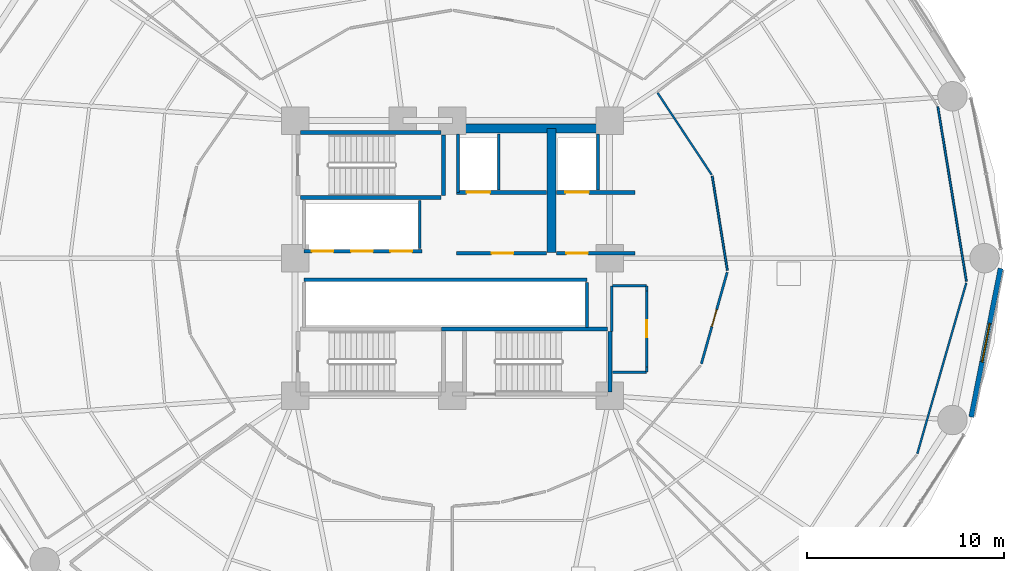
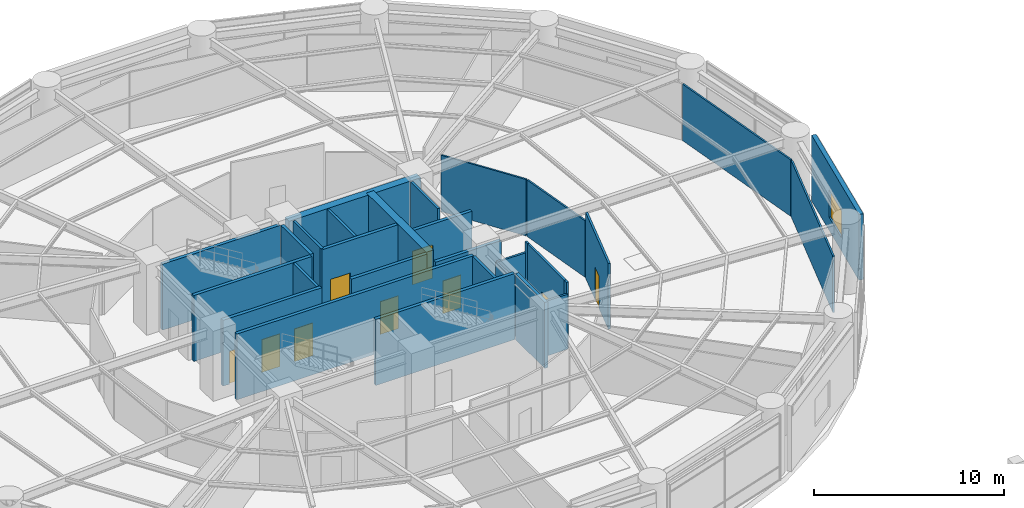
# One storey, part 39 of 46: 30 walls, 9 doors, 1 window, 10 openings.
"""IFC4 building model written with IfcOpenShell, lengths in metres."""

from ifc_helpers import new_model, si_unit, direction, frame, frame_2d, origin, place, context, subcontext, project, spatial, rectangle, extrude, material, layer, layer_set, type_object, element, fill, save


model = new_model("IFC4")

# Units and contexts
model_context = context("Model", 3, precision=1e-05, world=origin(), true_north=direction((0.0, 1.0)))
body_context = subcontext(model_context, "Body", "Model", "MODEL_VIEW")
ifc_project = project(units=[si_unit("LENGTHUNIT", "METRE"), si_unit("AREAUNIT", "SQUARE_METRE"), si_unit("VOLUMEUNIT", "CUBIC_METRE"), si_unit("PLANEANGLEUNIT", "RADIAN"), si_unit("MASSUNIT", "GRAM", prefix="KILO")], contexts=[model_context])

# Site, building, storey
site_placement = place(None, origin())
site = spatial("IfcSite", under=ifc_project, at=site_placement, CompositionType="ELEMENT")
building_placement = place(site_placement, origin())
building = spatial("IfcBuilding", under=site, at=building_placement, Name="Kelanora Arch Commons", CompositionType="ELEMENT")
storey_placement = place(building_placement, frame((0.0, 0.0, 18.0)))
storey = spatial("IfcBuildingStorey", under=building, at=storey_placement, Name="L04", CompositionType="ELEMENT", Elevation=18.0)

# Walls
ifc_material_1 = material(Name="Autoclaved aerated concrete blockwork with fire plaster", Category="masonry")
ifc_layer_1 = layer(ifc_material_1, 0.14990234375)
ifc_layer_set_1 = layer_set([ifc_layer_1], Name="Autoclaved aerated concrete blockwork with fire plaster")
wall_type_1 = type_object("IfcWallType", Name="W-COMP-150", PredefinedType="PARTITIONING", material=ifc_layer_set_1)
wall_1_placement = place(storey_placement, frame((74.280029296875, 61.35009765625, 0.0), z_axis=(0.0, 0.0, 1.0), x_axis=(0.0, 1.0, 0.0)))
element("IfcWall", 1, at=wall_1_placement, inside=storey, type_object=wall_type_1, Name="Firefighting Lift 1 West Shaft Wall L04", PredefinedType="PARTITIONING", context=body_context, shape_type="SweptSolid", body=[
    extrude(rectangle(XDim=2.969970703125, YDim=0.14990234375, at=frame_2d((1.48486328125, 0.0))), origin(), (0.0, 0.0, 1.0), 4.22998046875),
])
for number, where, z_axis, x_axis, name in (
    (2, (76.360107421875, 61.47998046875, 0.0), (0.0, 0.0, 1.0), (0.0, 1.0, 0.0), "Firefighting Lift 1 East Shaft Wall L04"),
    (3, (81.419921875, 61.47998046875, 0.0), (0.0, 0.0, 1.0), (0.0, 1.0, 0.0), "Firefighting Lift 2 East Shaft Wall L04"),
):
    element("IfcWall", number, at=place(storey_placement, frame(where, z_axis=z_axis, x_axis=x_axis)), inside=storey, type_object=wall_type_1, Name=name, PredefinedType="PARTITIONING", context=body_context, shape_type="SweptSolid", body=[
        extrude(rectangle(XDim=2.840087890625, YDim=0.14990234375, at=frame_2d((1.419921875, 0.0))), origin(), (0.0, 0.0, 1.0), 4.22998046875),
    ])
wall_2_placement = place(storey_placement, frame((72.340087890625, 58.47998046875, 0.0), z_axis=(0.0, 0.0, 1.0), x_axis=(0.0, 1.0, 0.0)))
element("IfcWall", 4, at=wall_2_placement, inside=storey, type_object=wall_type_1, Name="Low-Rise Lift Bank East Wall L04", PredefinedType="PARTITIONING", context=body_context, shape_type="SweptSolid", body=[
    extrude(rectangle(XDim=2.4599609375, YDim=0.14990234375, at=frame_2d((1.22998046875, 0.0))), origin(), (0.0, 0.0, 1.0), 4.22998046875),
])
wall_3_placement = place(storey_placement, frame((80.840087890625, 54.47998046875, 0.0), z_axis=(0.0, 0.0, 1.0), x_axis=(0.0, 1.0, 0.0)))
element("IfcWall", 5, at=wall_3_placement, inside=storey, type_object=wall_type_1, Name="South Lift Bank East Wall L04", PredefinedType="PARTITIONING", context=body_context, shape_type="SweptSolid", body=[
    extrude(rectangle(XDim=2.2900390625, YDim=0.14990234375, at=frame_2d((1.14501953125, 0.0))), origin(), (0.0, 0.0, 1.0), 4.22998046875),
])
ifc_material_2 = material(Name="Concrete C60/75", Category="concrete")
ifc_layer_2 = layer(ifc_material_2, 0.449951171875)
ifc_layer_set_2 = layer_set([ifc_layer_2], Name="Concrete C60/75")
wall_type_2 = type_object("IfcWallType", Name="W-CORE-450", PredefinedType="SHEAR", material=ifc_layer_set_2)
wall_4_placement = place(storey_placement, frame((74.0, 64.60009765625, 0.0), z_axis=(0.0, 0.0, 1.0), x_axis=(1.0, 0.0, 0.0)))
element("IfcWall", 6, at=wall_4_placement, inside=storey, type_object=wall_type_2, Name="Core Shear Spine L04-CN-E", PredefinedType="SHEAR", context=body_context, shape_type="SweptSolid", body=[
    extrude(rectangle(XDim=8.0, YDim=0.449951171875, at=frame_2d((4.0, 0.0))), origin(), (0.0, 0.0, 1.0), 4.239990234375),
])
wall_5_placement = place(storey_placement, frame((79.050048828125, 58.300048828125, 0.0), z_axis=(0.0, 0.0, 1.0), x_axis=(0.0, 1.0, 0.0)))
element("IfcWall", 7, at=wall_5_placement, inside=storey, type_object=wall_type_2, Name="Core Shear Spine L04-CE-N", PredefinedType="SHEAR", context=body_context, shape_type="SweptSolid", body=[
    extrude(rectangle(XDim=6.300048828125, YDim=0.449951171875, at=frame_2d((3.14990234375, 0.0))), origin(), (0.0, 0.0, 1.0), 4.239990234375),
])

# Wall, opening, window
ifc_material_3 = material(Name="Precast concrete C40/50 with terracotta rainscreen", Category="masonry")
ifc_layer_3 = layer(ifc_material_3, 0.260009765625)
ifc_layer_set_3 = layer_set([ifc_layer_3], Name="Precast concrete C40/50 with terracotta rainscreen")
wall_type_3 = type_object("IfcWallType", Name="W-EXT-TC", PredefinedType="SOLIDWALL", material=ifc_layer_set_3)
wall_6_placement = place(storey_placement, frame((100.404296875, 49.919921875, 0.0), z_axis=(0.0, 0.0, 1.0), x_axis=(0.193726159581, 0.98105564322, 0.0)))
wall_6 = element("IfcWall", 8, at=wall_6_placement, inside=storey, type_object=wall_type_3, Name="Terracotta Exterior Wall L04-B17", PredefinedType="SOLIDWALL", context=body_context, shape_type="SweptSolid", body=[
    extrude(rectangle(XDim=7.70263671875, YDim=0.260009765625, at=frame_2d((3.851318359375, 0.0))), origin(), (0.0, 0.0, 1.0), 4.22509765625),
])
opening_1_placement = place(wall_6_placement, frame((2.85107421875, 0.0, 0.85009765625)))
opening_1 = element("IfcOpeningElement", 9, at=opening_1_placement, cuts=wall_6, Name="Opening WN-05", PredefinedType="OPENING", context=body_context, shape_type="SweptSolid", body=[
    extrude(rectangle(XDim=2.0, YDim=1.75, at=frame_2d((1.0, 0.875))), frame((0.0, 0.14013671875, 0.0), z_axis=(0.0, -1.0, 0.0), x_axis=(1.0, 0.0, 0.0)), (0.0, 0.0, 1.0), 0.280029296875),
])
ifc_material_4 = material(Name="Terracotta-anodised aluminium podium window", Category="masonry")
window_type = type_object("IfcWindowType", Name="WIN-POD-20", PartitioningType="TRIPLE_PANEL_VERTICAL", PredefinedType="WINDOW", material=ifc_material_4)
window_placement = place(opening_1_placement, origin())
window = element("IfcWindow", 10, at=window_placement, inside=storey, type_object=window_type, Name="Podium Window L04-B17", OverallHeight=1.75, OverallWidth=2.0, PartitioningType="SINGLE_PANEL", PredefinedType="WINDOW", context=body_context, shape_type="SweptSolid", body=[
    extrude(rectangle(XDim=2.0, YDim=1.75, at=frame_2d((1.0, 0.875))), frame((0.0, 0.030029296875, 0.0), z_axis=(0.0, -1.0, 0.0), x_axis=(1.0, 0.0, 0.0)), (0.0, 0.0, 1.0), 0.06005859375),
])
fill(opening_1, window)

# Wall, opening, door
ifc_material_5 = material(Name="Concrete C40/50", Category="concrete")
ifc_layer_4 = layer(ifc_material_5, 0.199951171875)
ifc_layer_set_4 = layer_set([ifc_layer_4], Name="Concrete C40/50")
wall_type_4 = type_object("IfcWallType", Name="W-FFL-200", PredefinedType="SOLIDWALL", material=ifc_layer_set_4)
wall_7_placement = place(storey_placement, frame((74.199951171875, 61.35009765625, 0.0), z_axis=(0.0, 0.0, 1.0), x_axis=(1.0, 0.0, 0.0)))
wall_7 = element("IfcWall", 11, at=wall_7_placement, inside=storey, type_object=wall_type_4, Name="Firefighting Lift 1 Shaft Front L04", PredefinedType="SOLIDWALL", context=body_context, shape_type="SweptSolid", body=[
    extrude(rectangle(XDim=4.60009765625, YDim=0.199951171875, at=frame_2d((2.300048828125, 0.0))), origin(), (0.0, 0.0, 1.0), 4.22998046875),
])
opening_2_placement = place(wall_7_placement, frame((0.52001953125, 0.0, 0.0)))
opening_2 = element("IfcOpeningElement", 12, at=opening_2_placement, cuts=wall_7, Name="Opening LD-FF", PredefinedType="OPENING", context=body_context, shape_type="SweptSolid", body=[
    extrude(rectangle(XDim=1.199951171875, YDim=2.14990234375, at=frame_2d((0.60009765625, 1.074951171875))), frame((0.0, 0.10986328125, 0.0), z_axis=(0.0, -1.0, 0.0), x_axis=(1.0, 0.0, 0.0)), (0.0, 0.0, 1.0), 0.219970703125),
])
ifc_material_6 = material(Name="Fire-rated firefighters lift sliding landing door")
door_type_1 = type_object("IfcDoorType", Name="D-LIFT-FF", OperationType="NOTDEFINED", PredefinedType="DOOR", material=ifc_material_6)
door_1_placement = place(opening_2_placement, origin())
door_1 = element("IfcDoor", 13, at=door_1_placement, inside=storey, type_object=door_type_1, Name="Firefighting Lift LF-FF1 Landing Door L04", OperationType="DOUBLE_DOOR_SLIDING", OverallHeight=2.14990234375, OverallWidth=1.199951171875, PredefinedType="DOOR", context=body_context, shape_type="SweptSolid", body=[
    extrude(rectangle(XDim=1.199951171875, YDim=2.14990234375, at=frame_2d((0.60009765625, 1.074951171875))), frame((0.0, 0.02490234375, 0.0), z_axis=(0.0, -1.0, 0.0), x_axis=(1.0, 0.0, 0.0)), (0.0, 0.0, 1.0), 0.050048828125),
])
fill(opening_2, door_1)

wall_8_placement = place(storey_placement, frame((79.300048828125, 61.35009765625, 0.0), z_axis=(0.0, 0.0, 1.0), x_axis=(1.0, 0.0, 0.0)))
wall_8 = element("IfcWall", 14, at=wall_8_placement, inside=storey, type_object=wall_type_4, Name="Firefighting Lift 2 Shaft Front L04", PredefinedType="SOLIDWALL", context=body_context, shape_type="SweptSolid", body=[
    extrude(rectangle(XDim=4.0, YDim=0.199951171875, at=frame_2d((2.0, 0.0))), origin(), (0.0, 0.0, 1.0), 3.52490234375),
])
opening_3_placement = place(wall_8_placement, frame((0.449951171875, 0.0, 0.0)))
opening_3 = element("IfcOpeningElement", 15, at=opening_3_placement, cuts=wall_8, Name="Opening LD-FF", PredefinedType="OPENING", context=body_context, shape_type="SweptSolid", body=[
    extrude(rectangle(XDim=1.199951171875, YDim=2.14990234375, at=frame_2d((0.60009765625, 1.074951171875))), frame((0.0, 0.10986328125, 0.0), z_axis=(0.0, -1.0, 0.0), x_axis=(1.0, 0.0, 0.0)), (0.0, 0.0, 1.0), 0.219970703125),
])
door_2_placement = place(opening_3_placement, origin())
door_2 = element("IfcDoor", 16, at=door_2_placement, inside=storey, type_object=door_type_1, Name="Firefighting Lift LF-FF2 Landing Door L04", OperationType="DOUBLE_DOOR_SLIDING", OverallHeight=2.14990234375, OverallWidth=1.199951171875, PredefinedType="DOOR", context=body_context, shape_type="SweptSolid", body=[
    extrude(rectangle(XDim=1.199951171875, YDim=2.14990234375, at=frame_2d((0.60009765625, 1.074951171875))), frame((0.0, 0.02490234375, 0.0), z_axis=(0.0, -1.0, 0.0), x_axis=(1.0, 0.0, 0.0)), (0.0, 0.0, 1.0), 0.050048828125),
])
fill(opening_3, door_2)

wall_9_placement = place(storey_placement, frame((74.199951171875, 58.25, 0.0), z_axis=(0.0, 0.0, 1.0), x_axis=(1.0, 0.0, 0.0)))
wall_9 = element("IfcWall", 17, at=wall_9_placement, inside=storey, type_object=wall_type_4, Name="Firefighting Lobby 1 Enclosure Wall L04", PredefinedType="SOLIDWALL", context=body_context, shape_type="SweptSolid", body=[
    extrude(rectangle(XDim=4.60009765625, YDim=0.199951171875, at=frame_2d((2.300048828125, 0.0))), origin(), (0.0, 0.0, 1.0), 4.22998046875),
])
opening_4_placement = place(wall_9_placement, frame((1.800048828125, 0.0, 0.0)))
opening_4 = element("IfcOpeningElement", 18, at=opening_4_placement, cuts=wall_9, Name="Opening D-FFL1", PredefinedType="OPENING", context=body_context, shape_type="SweptSolid", body=[
    extrude(rectangle(XDim=1.10009765625, YDim=2.10009765625, at=frame_2d((0.550048828125, 1.050048828125))), frame((0.0, 0.10986328125, 0.0), z_axis=(0.0, -1.0, 0.0), x_axis=(1.0, 0.0, 0.0)), (0.0, 0.0, 1.0), 0.219970703125),
])
ifc_material_7 = material(Name="Smoke-sealed firefighting lobby fire door")
door_type_2 = type_object("IfcDoorType", Name="D-FFL-110", OperationType="NOTDEFINED", PredefinedType="DOOR", material=ifc_material_7)
door_3_placement = place(opening_4_placement, frame((1.10009765625, 0.0, 0.0), z_axis=(0.0, 0.0, 1.0), x_axis=(-1.0, 0.0, 0.0)))
door_3 = element("IfcDoor", 19, at=door_3_placement, inside=storey, type_object=door_type_2, Name="Firefighting Lobby 1 Door L04", OperationType="SINGLE_SWING_LEFT", OverallHeight=2.10009765625, OverallWidth=1.10009765625, PredefinedType="DOOR", context=body_context, shape_type="SweptSolid", body=[
    extrude(rectangle(XDim=1.10009765625, YDim=2.10009765625, at=frame_2d((0.550048828125, 1.050048828125))), frame((0.0, 0.02490234375, 0.0), z_axis=(0.0, -1.0, 0.0), x_axis=(1.0, 0.0, 0.0)), (0.0, 0.0, 1.0), 0.050048828125),
])
fill(opening_4, door_3)

wall_10_placement = place(storey_placement, frame((79.300048828125, 58.25, 0.0), z_axis=(0.0, 0.0, 1.0), x_axis=(1.0, 0.0, 0.0)))
wall_10 = element("IfcWall", 20, at=wall_10_placement, inside=storey, type_object=wall_type_4, Name="Firefighting Lobby 2 Enclosure Wall L04", PredefinedType="SOLIDWALL", context=body_context, shape_type="SweptSolid", body=[
    extrude(rectangle(XDim=4.0, YDim=0.199951171875, at=frame_2d((2.0, 0.0))), origin(), (0.0, 0.0, 1.0), 3.52490234375),
])
opening_5_placement = place(wall_10_placement, frame((0.5, 0.0, 0.0)))
opening_5 = element("IfcOpeningElement", 21, at=opening_5_placement, cuts=wall_10, Name="Opening D-FFL1", PredefinedType="OPENING", context=body_context, shape_type="SweptSolid", body=[
    extrude(rectangle(XDim=1.10009765625, YDim=2.10009765625, at=frame_2d((0.550048828125, 1.050048828125))), frame((0.0, 0.10986328125, 0.0), z_axis=(0.0, -1.0, 0.0), x_axis=(1.0, 0.0, 0.0)), (0.0, 0.0, 1.0), 0.219970703125),
])
door_4_placement = place(opening_5_placement, frame((1.10009765625, 0.0, 0.0), z_axis=(0.0, 0.0, 1.0), x_axis=(-1.0, 0.0, 0.0)))
door_4 = element("IfcDoor", 22, at=door_4_placement, inside=storey, type_object=door_type_2, Name="Firefighting Lobby 2 Door L04", OperationType="SINGLE_SWING_RIGHT", OverallHeight=2.10009765625, OverallWidth=1.10009765625, PredefinedType="DOOR", context=body_context, shape_type="SweptSolid", body=[
    extrude(rectangle(XDim=1.10009765625, YDim=2.10009765625, at=frame_2d((0.550048828125, 1.050048828125))), frame((0.0, 0.02490234375, 0.0), z_axis=(0.0, -1.0, 0.0), x_axis=(1.0, 0.0, 0.0)), (0.0, 0.0, 1.0), 0.050048828125),
])
fill(opening_5, door_4)

# Wall, openings, doors
wall_11_placement = place(storey_placement, frame((66.449951171875, 58.35009765625, 0.0), z_axis=(0.0, 0.0, 1.0), x_axis=(1.0, 0.0, 0.0)))
wall_11 = element("IfcWall", 23, at=wall_11_placement, inside=storey, type_object=wall_type_4, Name="Low-Rise Passenger Lift Shaft Front L04", PredefinedType="SOLIDWALL", context=body_context, shape_type="SweptSolid", body=[
    extrude(rectangle(XDim=6.0, YDim=0.199951171875, at=frame_2d((3.0, 0.0))), origin(), (0.0, 0.0, 1.0), 4.22998046875),
])
opening_6_placement = place(wall_11_placement, frame((0.39990234375, 0.0, 0.0)))
opening_6 = element("IfcOpeningElement", 24, at=opening_6_placement, cuts=wall_11, Name="Opening LD-01", PredefinedType="OPENING", context=body_context, shape_type="SweptSolid", body=[
    extrude(rectangle(XDim=1.10009765625, YDim=2.10009765625, at=frame_2d((0.550048828125, 1.050048828125))), frame((0.0, 0.10986328125, 0.0), z_axis=(0.0, -1.0, 0.0), x_axis=(1.0, 0.0, 0.0)), (0.0, 0.0, 1.0), 0.219970703125),
])
opening_7_placement = place(wall_11_placement, frame((2.39990234375, 0.0, 0.0)))
opening_7 = element("IfcOpeningElement", 25, at=opening_7_placement, cuts=wall_11, Name="Opening LD-01", PredefinedType="OPENING", context=body_context, shape_type="SweptSolid", body=[
    extrude(rectangle(XDim=1.10009765625, YDim=2.10009765625, at=frame_2d((0.550048828125, 1.050048828125))), frame((0.0, 0.10986328125, 0.0), z_axis=(0.0, -1.0, 0.0), x_axis=(1.0, 0.0, 0.0)), (0.0, 0.0, 1.0), 0.219970703125),
])
opening_8_placement = place(wall_11_placement, frame((4.39990234375, 0.0, 0.0)))
opening_8 = element("IfcOpeningElement", 26, at=opening_8_placement, cuts=wall_11, Name="Opening LD-01", PredefinedType="OPENING", context=body_context, shape_type="SweptSolid", body=[
    extrude(rectangle(XDim=1.10009765625, YDim=2.10009765625, at=frame_2d((0.550048828125, 1.050048828125))), frame((0.0, 0.10986328125, 0.0), z_axis=(0.0, -1.0, 0.0), x_axis=(1.0, 0.0, 0.0)), (0.0, 0.0, 1.0), 0.219970703125),
])
ifc_material_8 = material(Name="Stainless steel passenger lift sliding landing door", Category="steel")
door_type_3 = type_object("IfcDoorType", Name="D-LIFT-110", OperationType="NOTDEFINED", PredefinedType="DOOR", material=ifc_material_8)
door_5_placement = place(opening_6_placement, origin())
door_5 = element("IfcDoor", 27, at=door_5_placement, inside=storey, type_object=door_type_3, Name="Passenger Lift LF-P1 Landing Door L04", OperationType="DOUBLE_DOOR_SLIDING", OverallHeight=2.10009765625, OverallWidth=1.10009765625, PredefinedType="DOOR", context=body_context, shape_type="SweptSolid", body=[
    extrude(rectangle(XDim=1.10009765625, YDim=2.10009765625, at=frame_2d((0.550048828125, 1.050048828125))), frame((0.0, 0.02490234375, 0.0), z_axis=(0.0, -1.0, 0.0), x_axis=(1.0, 0.0, 0.0)), (0.0, 0.0, 1.0), 0.050048828125),
])
fill(opening_6, door_5)
door_6_placement = place(opening_7_placement, origin())
door_6 = element("IfcDoor", 28, at=door_6_placement, inside=storey, type_object=door_type_3, Name="Passenger Lift LF-P2 Landing Door L04", OperationType="DOUBLE_DOOR_SLIDING", OverallHeight=2.10009765625, OverallWidth=1.10009765625, PredefinedType="DOOR", context=body_context, shape_type="SweptSolid", body=[
    extrude(rectangle(XDim=1.10009765625, YDim=2.10009765625, at=frame_2d((0.550048828125, 1.050048828125))), frame((0.0, 0.02490234375, 0.0), z_axis=(0.0, -1.0, 0.0), x_axis=(1.0, 0.0, 0.0)), (0.0, 0.0, 1.0), 0.050048828125),
])
fill(opening_7, door_6)
door_7_placement = place(opening_8_placement, origin())
door_7 = element("IfcDoor", 29, at=door_7_placement, inside=storey, type_object=door_type_3, Name="Passenger Lift LF-P3 Landing Door L04", OperationType="DOUBLE_DOOR_SLIDING", OverallHeight=2.10009765625, OverallWidth=1.10009765625, PredefinedType="DOOR", context=body_context, shape_type="SweptSolid", body=[
    extrude(rectangle(XDim=1.10009765625, YDim=2.10009765625, at=frame_2d((0.550048828125, 1.050048828125))), frame((0.0, 0.02490234375, 0.0), z_axis=(0.0, -1.0, 0.0), x_axis=(1.0, 0.0, 0.0)), (0.0, 0.0, 1.0), 0.050048828125),
])
fill(opening_8, door_7)

# Walls
wall_12_placement = place(storey_placement, frame((66.449951171875, 56.89990234375, 0.0), z_axis=(0.0, 0.0, 1.0), x_axis=(1.0, 0.0, 0.0)))
element("IfcWall", 30, at=wall_12_placement, inside=storey, type_object=wall_type_4, Name="Mid/High/Express Lift Shaft Front L04", PredefinedType="SOLIDWALL", context=body_context, shape_type="SweptSolid", body=[
    extrude(rectangle(XDim=14.400146484375, YDim=0.199951171875, at=frame_2d((7.2001953125, 0.0))), origin(), (0.0, 0.0, 1.0), 4.22998046875),
])
ifc_material_9 = material(Name="Lightweight fire-rated acoustic stud partition")
ifc_layer_5 = layer(ifc_material_9, 0.10009765625)
ifc_layer_set_5 = layer_set([ifc_layer_5], Name="Lightweight fire-rated acoustic stud partition")
wall_type_5 = type_object("IfcWallType", Name="W-PART-100", PredefinedType="PARTITIONING", material=ifc_layer_set_5)
wall_13_placement = place(storey_placement, frame((87.99462890625, 57.37939453125, 0.0), z_axis=(0.0, 0.0, 1.0), x_axis=(-0.159023783725, 0.987274752138, 0.0)))
element("IfcWall", 31, at=wall_13_placement, inside=storey, type_object=wall_type_5, Name="Student Co-Working and Study Commons L04-A Enclosure Partition 3", PredefinedType="PARTITIONING", context=body_context, shape_type="SweptSolid", body=[
    extrude(rectangle(XDim=4.85595703125, YDim=0.10009765625, at=frame_2d((2.427978515625, 0.0))), origin(), (0.0, 0.0, 1.0), 3.625),
])
wall_14_placement = place(storey_placement, frame((87.19384765625, 62.246337890625, 0.0), z_axis=(0.0, 0.0, 1.0), x_axis=(-0.551434167509, 0.834218411991, 0.0)))
element("IfcWall", 32, at=wall_14_placement, inside=storey, type_object=wall_type_5, Name="Student Co-Working and Study Commons L04-A Enclosure Partition 4", PredefinedType="PARTITIONING", context=body_context, shape_type="SweptSolid", body=[
    extrude(rectangle(XDim=4.991943359375, YDim=0.10009765625, at=frame_2d((2.49609375, 0.0))), origin(), (0.0, 0.0, 1.0), 3.625),
])
wall_15_placement = place(storey_placement, frame((98.70361328125, 65.70458984375, 0.0), z_axis=(0.0, 0.0, 1.0), x_axis=(0.161586587371, -0.986858538384, 0.0)))
element("IfcWall", 33, at=wall_15_placement, inside=storey, type_object=wall_type_5, Name="Student Co-Working and Study Commons L04-A Enclosure Partition 7", PredefinedType="PARTITIONING", context=body_context, shape_type="SweptSolid", body=[
    extrude(rectangle(XDim=8.997314453125, YDim=0.10009765625, at=frame_2d((4.49853515625, 0.0))), origin(), (0.0, 0.0, 1.0), 3.625),
])
wall_16_placement = place(storey_placement, frame((100.153076171875, 56.74755859375, 0.0), z_axis=(0.0, 0.0, 1.0), x_axis=(-0.275668999864, -0.96125262159, 0.0)))
element("IfcWall", 34, at=wall_16_placement, inside=storey, type_object=wall_type_5, Name="Student Co-Working and Study Commons L04-A Enclosure Partition 8", PredefinedType="PARTITIONING", context=body_context, shape_type="SweptSolid", body=[
    extrude(rectangle(XDim=9.047607421875, YDim=0.10009765625, at=frame_2d((4.52392578125, 0.0))), origin(), (0.0, 0.0, 1.0), 3.625),
])

# Wall, opening, door
ifc_material_10 = material(Name="Acoustic twin-stud fire-rated gypsum partition")
ifc_layer_6 = layer(ifc_material_10, 0.1201171875)
ifc_layer_set_6 = layer_set([ifc_layer_6], Name="Acoustic twin-stud fire-rated gypsum partition")
wall_type_6 = type_object("IfcWallType", Name="W-PART-120", PredefinedType="PARTITIONING", material=ifc_layer_set_6)
wall_17_placement = place(storey_placement, frame((86.67041015625, 52.624755859375, 0.0), z_axis=(0.0, 0.0, 1.0), x_axis=(0.27156800538, 0.962419252953, 0.0)))
wall_17 = element("IfcWall", 35, at=wall_17_placement, inside=storey, type_object=wall_type_6, Name="Student Co-Working and Study Commons L04-A Entry Partition", PredefinedType="PARTITIONING", context=body_context, shape_type="SweptSolid", body=[
    extrude(rectangle(XDim=4.83935546875, YDim=0.1201171875, at=frame_2d((2.419677734375, 0.0))), origin(), (0.0, 0.0, 1.0), 4.22998046875),
])
opening_9_placement = place(wall_17_placement, frame((1.969970703125, 0.0, 0.0)))
opening_9 = element("IfcOpeningElement", 36, at=opening_9_placement, cuts=wall_17, Name="Opening D-RM1", PredefinedType="OPENING", context=body_context, shape_type="SweptSolid", body=[
    extrude(rectangle(XDim=0.89990234375, YDim=2.080078125, at=frame_2d((0.449951171875, 1.0400390625))), frame((0.0, 0.070068359375, 0.0), z_axis=(0.0, -1.0, 0.0), x_axis=(1.0, 0.0, 0.0)), (0.0, 0.0, 1.0), 0.14013671875),
])
ifc_material_11 = material(Name="Acoustic fire-rated timber study and lounge door", Category="wood")
door_type_4 = type_object("IfcDoorType", Name="D-ROOM-90", OperationType="NOTDEFINED", PredefinedType="DOOR", material=ifc_material_11)
door_8_placement = place(opening_9_placement, origin())
door_8 = element("IfcDoor", 37, at=door_8_placement, inside=storey, type_object=door_type_4, Name="Student Co-Working and Study Commons L04-A Door", OperationType="SINGLE_SWING_LEFT", OverallHeight=2.080078125, OverallWidth=0.89990234375, PredefinedType="DOOR", context=body_context, shape_type="SweptSolid", body=[
    extrude(rectangle(XDim=0.89990234375, YDim=2.080078125, at=frame_2d((0.449951171875, 1.0400390625))), frame((0.0, 0.02490234375, 0.0), z_axis=(0.0, -1.0, 0.0), x_axis=(1.0, 0.0, 0.0)), (0.0, 0.0, 1.0), 0.050048828125),
])
fill(opening_9, door_8)

# Walls
ifc_layer_7 = layer(ifc_material_5, 0.199951171875)
ifc_layer_set_7 = layer_set([ifc_layer_7], Name="Concrete C40/50")
wall_type_7 = type_object("IfcWallType", Name="W-STAIR-200", PredefinedType="SHEAR", material=ifc_layer_set_7)
wall_18_placement = place(storey_placement, frame((66.260009765625, 61.080078125, 0.0), z_axis=(0.0, 0.0, 1.0), x_axis=(1.0, 0.0, 0.0)))
element("IfcWall", 38, at=wall_18_placement, inside=storey, type_object=wall_type_7, Name="Stair ST-T1 Shaft Wall S L04", PredefinedType="SHEAR", context=body_context, shape_type="SweptSolid", body=[
    extrude(rectangle(XDim=7.159912109375, YDim=0.199951171875, at=frame_2d((3.580078125, 0.0))), origin(), (0.0, 0.0, 1.0), 4.239990234375),
])
wall_19_placement = place(storey_placement, frame((73.5400390625, 61.199951171875, 0.0), z_axis=(0.0, 0.0, 1.0), x_axis=(0.0, 1.0, 0.0)))
element("IfcWall", 39, at=wall_19_placement, inside=storey, type_object=wall_type_7, Name="Stair ST-T1 Shaft Wall E L04", PredefinedType="SHEAR", context=body_context, shape_type="SweptSolid", body=[
    extrude(rectangle(XDim=3.070068359375, YDim=0.199951171875, at=frame_2d((1.53515625, 0.0))), origin(), (0.0, 0.0, 1.0), 4.239990234375),
])
wall_20_placement = place(storey_placement, frame((73.419921875, 64.389892578125, 0.0), z_axis=(0.0, 0.0, 1.0), x_axis=(-1.0, 0.0, 0.0)))
element("IfcWall", 40, at=wall_20_placement, inside=storey, type_object=wall_type_7, Name="Stair ST-T1 Shaft Wall N L04", PredefinedType="SHEAR", context=body_context, shape_type="SweptSolid", body=[
    extrude(rectangle(XDim=7.159912109375, YDim=0.199951171875, at=frame_2d((3.580078125, 0.0))), origin(), (0.0, 0.0, 1.0), 4.239990234375),
])
wall_21_placement = place(storey_placement, frame((82.02001953125, 51.199951171875, 0.0), z_axis=(0.0, 0.0, 1.0), x_axis=(0.0, 1.0, 0.0)))
element("IfcWall", 41, at=wall_21_placement, inside=storey, type_object=wall_type_7, Name="Stair ST-T2 Shaft Wall E L04", PredefinedType="SHEAR", context=body_context, shape_type="SweptSolid", body=[
    extrude(rectangle(XDim=3.070068359375, YDim=0.199951171875, at=frame_2d((1.53515625, 0.0))), origin(), (0.0, 0.0, 1.0), 4.239990234375),
])
wall_22_placement = place(storey_placement, frame((81.89990234375, 54.389892578125, 0.0), z_axis=(0.0, 0.0, 1.0), x_axis=(-1.0, 0.0, 0.0)))
element("IfcWall", 42, at=wall_22_placement, inside=storey, type_object=wall_type_7, Name="Stair ST-T2 Shaft Wall N L04", PredefinedType="SHEAR", context=body_context, shape_type="SweptSolid", body=[
    extrude(rectangle(XDim=8.4599609375, YDim=0.199951171875, at=frame_2d((4.22998046875, 0.0))), origin(), (0.0, 0.0, 1.0), 4.239990234375),
])

# Wall, opening, door
ifc_material_12 = material(Name="Moisture-resistant fire-rated cement-board plumbing wall")
ifc_layer_8 = layer(ifc_material_12, 0.1298828125)
ifc_layer_set_8 = layer_set([ifc_layer_8], Name="Moisture-resistant fire-rated cement-board plumbing wall")
wall_type_8 = type_object("IfcWallType", Name="W-WET-120", PredefinedType="PLUMBINGWALL", material=ifc_layer_set_8)
wall_23_placement = place(storey_placement, frame((83.89990234375, 52.4599609375, 0.0), z_axis=(0.0, 0.0, 1.0), x_axis=(0.0, 1.0, 0.0)))
wall_23 = element("IfcWall", 43, at=wall_23_placement, inside=storey, type_object=wall_type_8, Name="Podium Accessible Toilets L04 Entry Partition", PredefinedType="PLUMBINGWALL", context=body_context, shape_type="SweptSolid", body=[
    extrude(rectangle(XDim=3.880126953125, YDim=0.1298828125, at=frame_2d((1.93994140625, 0.0))), origin(), (0.0, 0.0, 1.0), 4.22998046875),
])
opening_10_placement = place(wall_23_placement, frame((1.510009765625, 0.0, 0.0)))
opening_10 = element("IfcOpeningElement", 44, at=opening_10_placement, cuts=wall_23, Name="Opening D-BT1", PredefinedType="OPENING", context=body_context, shape_type="SweptSolid", body=[
    extrude(rectangle(XDim=0.860107421875, YDim=2.050048828125, at=frame_2d((0.43017578125, 1.02490234375))), frame((0.0, 0.074951171875, 0.0), z_axis=(0.0, -1.0, 0.0), x_axis=(1.0, 0.0, 0.0)), (0.0, 0.0, 1.0), 0.14990234375),
])
ifc_material_13 = material(Name="Moisture-sealed fire-rated accessible bathroom door")
door_type_5 = type_object("IfcDoorType", Name="D-BATH-85", OperationType="NOTDEFINED", PredefinedType="DOOR", material=ifc_material_13)
door_9_placement = place(opening_10_placement, origin())
door_9 = element("IfcDoor", 45, at=door_9_placement, inside=storey, type_object=door_type_5, Name="Podium Accessible Toilets L04 Door", OperationType="SINGLE_SWING_RIGHT", OverallHeight=2.050048828125, OverallWidth=0.860107421875, PredefinedType="DOOR", context=body_context, shape_type="SweptSolid", body=[
    extrude(rectangle(XDim=0.860107421875, YDim=2.050048828125, at=frame_2d((0.43017578125, 1.02490234375))), frame((0.0, 0.02490234375, 0.0), z_axis=(0.0, -1.0, 0.0), x_axis=(1.0, 0.0, 0.0)), (0.0, 0.0, 1.0), 0.050048828125),
])
fill(opening_10, door_9)

# Walls
wall_24_placement = place(storey_placement, frame((82.139892578125, 52.199951171875, 0.0), z_axis=(0.0, 0.0, 1.0), x_axis=(1.0, 0.0, 0.0)))
element("IfcWall", 46, at=wall_24_placement, inside=storey, type_object=wall_type_8, Name="Podium Accessible Toilets L04 Enclosure Partition 1", PredefinedType="PLUMBINGWALL", context=body_context, shape_type="SweptSolid", body=[
    extrude(rectangle(XDim=1.739990234375, YDim=0.1298828125, at=frame_2d((0.8701171875, 0.0))), origin(), (0.0, 0.0, 1.0), 3.52490234375),
])
for number, where, z_axis, x_axis, name in (
    (47, (83.89990234375, 52.219970703125, 0.0), (0.0, 0.0, 1.0), (0.0, 1.0, 0.0), "Podium Accessible Toilets L04 Enclosure Partition 2"),
    (48, (83.89990234375, 56.340087890625, 0.0), (0.0, 0.0, 1.0), (0.0, 1.0, 0.0), "Podium Accessible Toilets L04 Enclosure Partition 2"),
):
    element("IfcWall", number, at=place(storey_placement, frame(where, z_axis=z_axis, x_axis=x_axis)), inside=storey, type_object=wall_type_8, Name=name, PredefinedType="PLUMBINGWALL", context=body_context, shape_type="SweptSolid", body=[
        extrude(rectangle(XDim=0.239990234375, YDim=0.1298828125, at=frame_2d((0.1201171875, 0.0))), origin(), (0.0, 0.0, 1.0), 4.22998046875),
    ])
wall_25_placement = place(storey_placement, frame((83.8798828125, 56.60009765625, 0.0), z_axis=(0.0, 0.0, 1.0), x_axis=(-1.0, 0.0, 0.0)))
element("IfcWall", 49, at=wall_25_placement, inside=storey, type_object=wall_type_8, Name="Podium Accessible Toilets L04 Enclosure Partition 3", PredefinedType="PLUMBINGWALL", context=body_context, shape_type="SweptSolid", body=[
    extrude(rectangle(XDim=1.739990234375, YDim=0.1298828125, at=frame_2d((0.8701171875, 0.0))), origin(), (0.0, 0.0, 1.0), 3.52490234375),
])
wall_26_placement = place(storey_placement, frame((82.1201171875, 56.580078125, 0.0), z_axis=(0.0, 0.0, 1.0), x_axis=(0.0, -1.0, 0.0)))
element("IfcWall", 50, at=wall_26_placement, inside=storey, type_object=wall_type_8, Name="Podium Accessible Toilets L04 Enclosure Partition 4", PredefinedType="PLUMBINGWALL", context=body_context, shape_type="SweptSolid", body=[
    extrude(rectangle(XDim=2.31005859375, YDim=0.1298828125, at=frame_2d((1.155029296875, 0.0))), origin(), (0.0, 0.0, 1.0), 3.52490234375),
])

save(model, "model.ifc")
